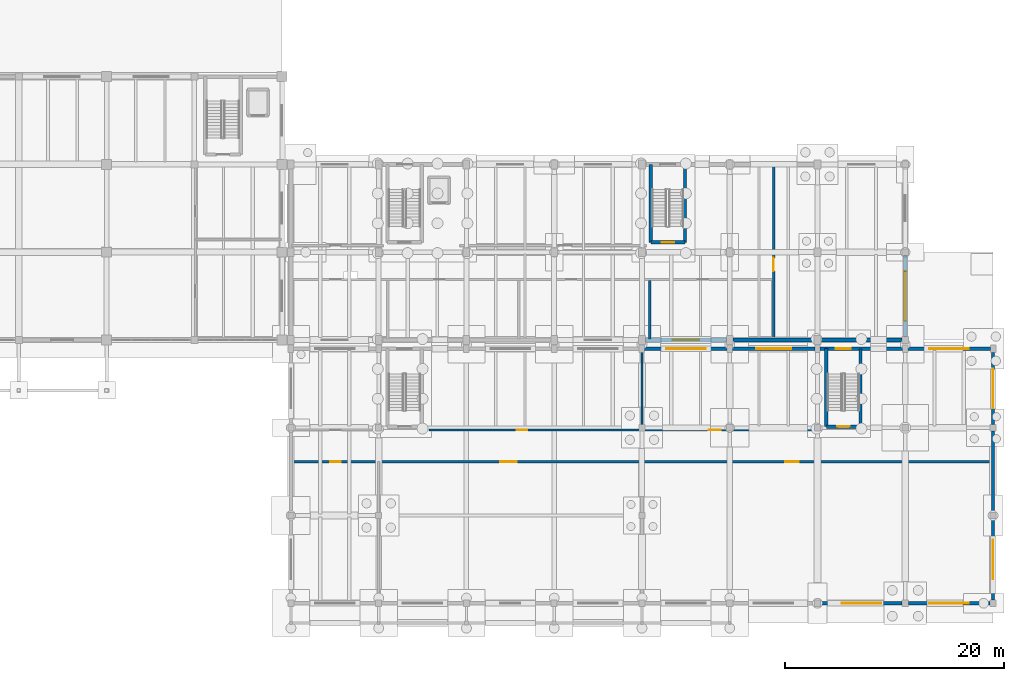
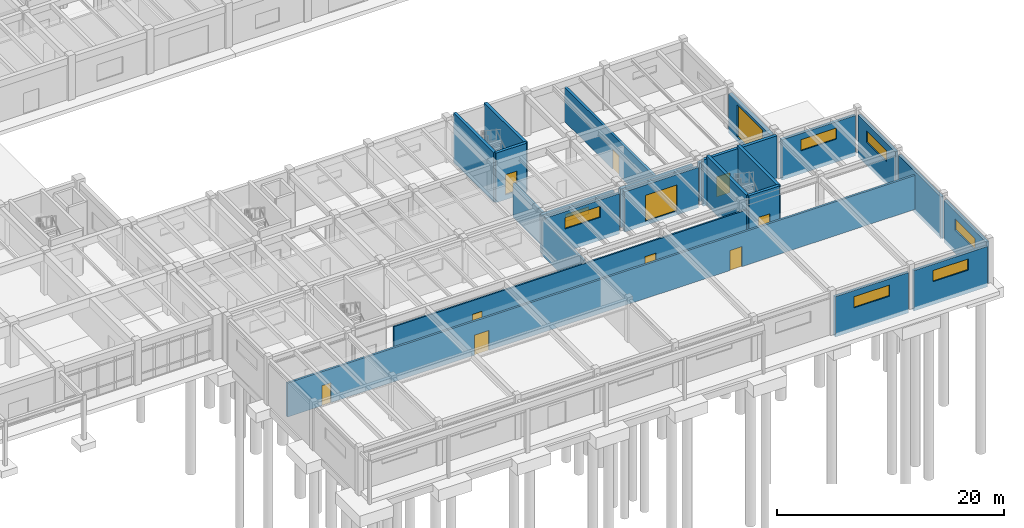
# One storey, part 43 of 64: 24 walls, 11 doors, 7 windows, 18 openings.
"""IFC4 building model written with IfcOpenShell, lengths in metres."""

from ifc_helpers import new_model, si_unit, direction, frame, frame_2d, origin, place, context, subcontext, project, spatial, rectangle, extrude, material, layer, layer_set, type_object, element, fill, save


model = new_model("IFC4")

# Units and contexts
model_context = context("Model", 3, precision=1e-05, world=origin(), true_north=direction((0.0, 1.0)))
body_context = subcontext(model_context, "Body", "Model", "MODEL_VIEW")
ifc_project = project(units=[si_unit("LENGTHUNIT", "METRE"), si_unit("AREAUNIT", "SQUARE_METRE"), si_unit("VOLUMEUNIT", "CUBIC_METRE"), si_unit("PLANEANGLEUNIT", "RADIAN"), si_unit("MASSUNIT", "GRAM", prefix="KILO")], contexts=[model_context])

# Site, building, storey
site_placement = place(None, origin())
site = spatial("IfcSite", under=ifc_project, at=site_placement, CompositionType="ELEMENT")
building_placement = place(site_placement, origin())
building = spatial("IfcBuilding", under=site, at=building_placement, Name="Tlaxcora Railside Police Headquarters", CompositionType="ELEMENT")
storey_placement = place(building_placement, origin())
storey = spatial("IfcBuildingStorey", under=building, at=storey_placement, Name="L00", CompositionType="ELEMENT", Elevation=0.0)

# Wall
ifc_material_1 = material(Name="Gypsum acoustic partition board")
ifc_layer_1 = layer(ifc_material_1, 0.175048828125, Name="Gypsum acoustic partition board")
ifc_layer_set_1 = layer_set([ifc_layer_1], Name="Gypsum acoustic partition board")
wall_type_1 = type_object("IfcWallType", Name="Interior Partition Wall IW-22", PredefinedType="PARTITIONING", material=ifc_layer_set_1)
wall_1_placement = place(storey_placement, frame((134.800048828125, 27.800048828125, 0.0), z_axis=(0.0, 0.0, 1.0), x_axis=(0.0, 1.0, 0.0)))
element("IfcWall", 1, at=wall_1_placement, inside=storey, type_object=wall_type_1, Name="V3 L00 interior partition 43", PredefinedType="PARTITIONING", context=body_context, shape_type="SweptSolid", body=[
    extrude(rectangle(XDim=7.320068359375, YDim=0.175048828125, at=frame_2d((3.66015625, 0.0))), origin(), (0.0, 0.0, 1.0), 3.89794921875),
])

# Wall, openings, doors
ifc_material_2 = material(Name="Pressed clay brick masonry", Category="masonry")
ifc_layer_2 = layer(ifc_material_2, 0.199951171875, Name="Pressed clay brick masonry")
ifc_layer_set_2 = layer_set([ifc_layer_2], Name="Pressed clay brick masonry")
wall_type_2 = type_object("IfcWallType", Name="Interior Partition Wall IW-60", PredefinedType="PARTITIONING", material=ifc_layer_set_2)
wall_2_placement = place(storey_placement, frame((102.8798828125, 24.89990234375, 0.0), z_axis=(0.0, 0.0, 1.0), x_axis=(1.0, 0.0, 0.0)))
wall_2 = element("IfcWall", 2, at=wall_2_placement, inside=storey, type_object=wall_type_2, Name="V3 L00 interior partition 40", PredefinedType="PARTITIONING", context=body_context, shape_type="SweptSolid", body=[
    extrude(rectangle(XDim=63.840087890625, YDim=0.199951171875, at=frame_2d((31.919921875, 0.0))), origin(), (0.0, 0.0, 1.0), 3.64599609375),
])
opening_1_placement = place(wall_2_placement, frame((3.5, 0.0, 0.0)))
opening_1 = element("IfcOpeningElement", 3, at=opening_1_placement, cuts=wall_2, Name="Opening D-L00-089", PredefinedType="OPENING", context=body_context, shape_type="SweptSolid", body=[
    extrude(rectangle(XDim=0.949951171875, YDim=2.14990234375, at=frame_2d((0.47509765625, 1.074951171875))), frame((0.0, 0.10986328125, 0.0), z_axis=(0.0, -1.0, 0.0), x_axis=(1.0, 0.0, 0.0)), (0.0, 0.0, 1.0), 0.219970703125),
])
opening_2_placement = place(wall_2_placement, frame((19.0, 0.0, 0.0)))
opening_2 = element("IfcOpeningElement", 4, at=opening_2_placement, cuts=wall_2, Name="Opening D-L00-090", PredefinedType="OPENING", context=body_context, shape_type="SweptSolid", body=[
    extrude(rectangle(XDim=1.5, YDim=2.14990234375, at=frame_2d((0.75, 1.074951171875))), frame((0.0, 0.10986328125, 0.0), z_axis=(0.0, -1.0, 0.0), x_axis=(1.0, 0.0, 0.0)), (0.0, 0.0, 1.0), 0.219970703125),
])
opening_3_placement = place(wall_2_placement, frame((45.0, 0.0, 0.0)))
opening_3 = element("IfcOpeningElement", 5, at=opening_3_placement, cuts=wall_2, Name="Opening D-L00-091", PredefinedType="OPENING", context=body_context, shape_type="SweptSolid", body=[
    extrude(rectangle(XDim=1.199951171875, YDim=2.14990234375, at=frame_2d((0.60009765625, 1.074951171875))), frame((0.0, 0.10986328125, 0.0), z_axis=(0.0, -1.0, 0.0), x_axis=(1.0, 0.0, 0.0)), (0.0, 0.0, 1.0), 0.219970703125),
])
ifc_material_3 = material(Name="Steel ASTM A992 Grade 50", Category="steel")
door_type_1 = type_object("IfcDoorType", Name="Swing or Sliding Personnel Door ID-14", OperationType="NOTDEFINED", PredefinedType="DOOR", material=ifc_material_3)
door_1_placement = place(opening_3_placement, origin())
door_1 = element("IfcDoor", 6, at=door_1_placement, inside=storey, type_object=door_type_1, Name="V3 L00 door D-L00-091", OperationType="DOUBLE_DOOR_SINGLE_SWING", OverallHeight=2.14990234375, OverallWidth=1.199951171875, PredefinedType="DOOR", context=body_context, shape_type="SweptSolid", body=[
    extrude(rectangle(XDim=1.199951171875, YDim=2.14990234375, at=frame_2d((0.60009765625, 1.074951171875))), frame((0.0, 0.02490234375, 0.0), z_axis=(0.0, -1.0, 0.0), x_axis=(1.0, 0.0, 0.0)), (0.0, 0.0, 1.0), 0.050048828125),
])
fill(opening_3, door_1)
door_type_2 = type_object("IfcDoorType", Name="Swing or Sliding Personnel Door ID-21", OperationType="NOTDEFINED", PredefinedType="DOOR", material=ifc_material_3)
door_2_placement = place(opening_2_placement, origin())
door_2 = element("IfcDoor", 7, at=door_2_placement, inside=storey, type_object=door_type_2, Name="V3 L00 door D-L00-090", OperationType="DOUBLE_DOOR_SINGLE_SWING", OverallHeight=2.14990234375, OverallWidth=1.5, PredefinedType="DOOR", context=body_context, shape_type="SweptSolid", body=[
    extrude(rectangle(XDim=1.5, YDim=2.14990234375, at=frame_2d((0.75, 1.074951171875))), frame((0.0, 0.02490234375, 0.0), z_axis=(0.0, -1.0, 0.0), x_axis=(1.0, 0.0, 0.0)), (0.0, 0.0, 1.0), 0.050048828125),
])
fill(opening_2, door_2)
door_type_3 = type_object("IfcDoorType", Name="Swing or Sliding Personnel Door ID-31", OperationType="NOTDEFINED", PredefinedType="DOOR", material=ifc_material_3)
door_3_placement = place(opening_1_placement, origin())
door_3 = element("IfcDoor", 8, at=door_3_placement, inside=storey, type_object=door_type_3, Name="V3 L00 door D-L00-089", OperationType="SINGLE_SWING_LEFT", OverallHeight=2.14990234375, OverallWidth=0.949951171875, PredefinedType="DOOR", context=body_context, shape_type="SweptSolid", body=[
    extrude(rectangle(XDim=0.949951171875, YDim=2.14990234375, at=frame_2d((0.47509765625, 1.074951171875))), frame((0.0, 0.02490234375, 0.0), z_axis=(0.0, -1.0, 0.0), x_axis=(1.0, 0.0, 0.0)), (0.0, 0.0, 1.0), 0.050048828125),
])
fill(opening_1, door_3)

# Wall
wall_3_placement = place(storey_placement, frame((135.510986328125, 36.080078125, 0.0), z_axis=(0.0, 0.0, 1.0), x_axis=(0.0, 1.0, 0.0)))
element("IfcWall", 9, at=wall_3_placement, inside=storey, type_object=wall_type_2, Name="V7 L00 interior partition 46", PredefinedType="PARTITIONING", context=body_context, shape_type="SweptSolid", body=[
    extrude(rectangle(XDim=5.31982421875, YDim=0.199951171875, at=frame_2d((2.659912109375, 0.0))), origin(), (0.0, 0.0, 1.0), 3.695068359375),
])

# Wall, openings, doors
ifc_layer_3 = layer(ifc_material_1, 0.159912109375, Name="Gypsum acoustic partition board")
ifc_layer_set_3 = layer_set([ifc_layer_3], Name="Gypsum acoustic partition board")
wall_type_3 = type_object("IfcWallType", Name="Interior Partition Wall IW-73", PredefinedType="PARTITIONING", material=ifc_layer_set_3)
wall_4_placement = place(storey_placement, frame((115.39990234375, 27.800048828125, 0.0), z_axis=(0.0, 0.0, 1.0), x_axis=(1.0, 0.0, 0.0)))
wall_4 = element("IfcWall", 10, at=wall_4_placement, inside=storey, type_object=wall_type_3, Name="V3 L00 interior partition 42", PredefinedType="PARTITIONING", context=body_context, shape_type="SweptSolid", body=[
    extrude(rectangle(XDim=35.800048828125, YDim=0.159912109375, at=frame_2d((17.89990234375, 0.0))), origin(), (0.0, 0.0, 1.0), 3.56494140625),
])
opening_4_placement = place(wall_4_placement, frame((8.0, 0.0, 0.0)))
opening_4 = element("IfcOpeningElement", 11, at=opening_4_placement, cuts=wall_4, Name="Opening D-L00-093", PredefinedType="OPENING", context=body_context, shape_type="SweptSolid", body=[
    extrude(rectangle(XDim=0.949951171875, YDim=2.10009765625, at=frame_2d((0.47509765625, 1.050048828125))), frame((0.0, 0.08984375, 0.0), z_axis=(0.0, -1.0, 0.0), x_axis=(1.0, 0.0, 0.0)), (0.0, 0.0, 1.0), 0.179931640625),
])
opening_5_placement = place(wall_4_placement, frame((25.5, 0.0, 0.0)))
opening_5 = element("IfcOpeningElement", 12, at=opening_5_placement, cuts=wall_4, Name="Opening D-L00-094", PredefinedType="OPENING", context=body_context, shape_type="SweptSolid", body=[
    extrude(rectangle(XDim=1.10009765625, YDim=2.14990234375, at=frame_2d((0.550048828125, 1.074951171875))), frame((0.0, 0.08984375, 0.0), z_axis=(0.0, -1.0, 0.0), x_axis=(1.0, 0.0, 0.0)), (0.0, 0.0, 1.0), 0.179931640625),
])
door_type_4 = type_object("IfcDoorType", Name="Swing or Sliding Personnel Door ID-25", OperationType="NOTDEFINED", PredefinedType="DOOR", material=ifc_material_3)
door_4_placement = place(opening_5_placement, origin())
door_4 = element("IfcDoor", 13, at=door_4_placement, inside=storey, type_object=door_type_4, Name="V3 L00 door D-L00-094", OperationType="SINGLE_SWING_RIGHT", OverallHeight=2.14990234375, OverallWidth=1.10009765625, PredefinedType="DOOR", context=body_context, shape_type="SweptSolid", body=[
    extrude(rectangle(XDim=1.10009765625, YDim=2.14990234375, at=frame_2d((0.550048828125, 1.074951171875))), frame((0.0, 0.02490234375, 0.0), z_axis=(0.0, -1.0, 0.0), x_axis=(1.0, 0.0, 0.0)), (0.0, 0.0, 1.0), 0.050048828125),
])
fill(opening_5, door_4)
door_type_5 = type_object("IfcDoorType", Name="Swing or Sliding Personnel Door ID-87", OperationType="NOTDEFINED", PredefinedType="DOOR", material=ifc_material_3)
door_5_placement = place(opening_4_placement, origin())
door_5 = element("IfcDoor", 14, at=door_5_placement, inside=storey, type_object=door_type_5, Name="V3 L00 door D-L00-093", OperationType="SINGLE_SWING_LEFT", OverallHeight=2.10009765625, OverallWidth=0.949951171875, PredefinedType="DOOR", context=body_context, shape_type="SweptSolid", body=[
    extrude(rectangle(XDim=0.949951171875, YDim=2.10009765625, at=frame_2d((0.47509765625, 1.050048828125))), frame((0.0, 0.02490234375, 0.0), z_axis=(0.0, -1.0, 0.0), x_axis=(1.0, 0.0, 0.0)), (0.0, 0.0, 1.0), 0.050048828125),
])
fill(opening_4, door_5)

# Wall, opening, door
ifc_layer_4 = layer(ifc_material_2, 0.239990234375, Name="Pressed clay brick masonry")
ifc_layer_set_4 = layer_set([ifc_layer_4], Name="Pressed clay brick masonry")
wall_type_4 = type_object("IfcWallType", Name="Interior Partition Wall IW-85", PredefinedType="PARTITIONING", material=ifc_layer_set_4)
wall_5_placement = place(storey_placement, frame((146.800048828125, 36.080078125, 0.0), z_axis=(0.0, 0.0, 1.0), x_axis=(0.0, 1.0, 0.0)))
wall_5 = element("IfcWall", 15, at=wall_5_placement, inside=storey, type_object=wall_type_4, Name="V7 L00 interior partition 47", PredefinedType="PARTITIONING", context=body_context, shape_type="SweptSolid", body=[
    extrude(rectangle(XDim=15.83984375, YDim=0.239990234375, at=frame_2d((7.919921875, 0.0))), origin(), (0.0, 0.0, 1.0), 3.695068359375),
])
opening_6_placement = place(wall_5_placement, frame((6.199951171875, 0.0, 0.0)))
opening_6 = element("IfcOpeningElement", 16, at=opening_6_placement, cuts=wall_5, Name="Opening D-L00-095", PredefinedType="OPENING", context=body_context, shape_type="SweptSolid", body=[
    extrude(rectangle(XDim=1.199951171875, YDim=2.14990234375, at=frame_2d((0.60009765625, 1.074951171875))), frame((0.0, 0.1298828125, 0.0), z_axis=(0.0, -1.0, 0.0), x_axis=(1.0, 0.0, 0.0)), (0.0, 0.0, 1.0), 0.260009765625),
])
door_6_placement = place(opening_6_placement, origin())
door_6 = element("IfcDoor", 17, at=door_6_placement, inside=storey, type_object=door_type_1, Name="V7 L00 door D-L00-095", OperationType="DOUBLE_DOOR_SINGLE_SWING", OverallHeight=2.14990234375, OverallWidth=1.199951171875, PredefinedType="DOOR", context=body_context, shape_type="SweptSolid", body=[
    extrude(rectangle(XDim=1.199951171875, YDim=2.14990234375, at=frame_2d((0.60009765625, 1.074951171875))), frame((0.0, 0.02490234375, 0.0), z_axis=(0.0, -1.0, 0.0), x_axis=(1.0, 0.0, 0.0)), (0.0, 0.0, 1.0), 0.050048828125),
])
fill(opening_6, door_6)

ifc_material_4 = material(Name="Concrete C40/50", Category="concrete")
ifc_layer_5 = layer(ifc_material_4, 0.300048828125, Name="Concrete C40/50")
ifc_layer_set_5 = layer_set([ifc_layer_5], Name="Concrete C40/50")
wall_type_5 = type_object("IfcWallType", Name="Shear Core Wall IW-28", PredefinedType="SHEAR", material=ifc_layer_set_5)
wall_6_placement = place(storey_placement, frame((135.60009765625, 44.89990234375, -0.52001953125), z_axis=(0.0, 0.0, 1.0), x_axis=(1.0, 0.0, 0.0)))
wall_6 = element("IfcWall", 18, at=wall_6_placement, inside=storey, type_object=wall_type_5, Name="CORE-C7B L00 stair core wall S", PredefinedType="SHEAR", context=body_context, shape_type="SweptSolid", body=[
    extrude(rectangle(XDim=3.119873046875, YDim=0.300048828125, at=frame_2d((1.56005859375, 0.0))), origin(), (0.0, 0.0, 1.0), 5.320068359375),
])
opening_7_placement = place(wall_6_placement, frame((0.985107421875, 0.0, 0.52001953125)))
opening_7 = element("IfcOpeningElement", 19, at=opening_7_placement, cuts=wall_6, Name="Opening SD-L00-051", PredefinedType="OPENING", context=body_context, shape_type="SweptSolid", body=[
    extrude(rectangle(XDim=1.14990234375, YDim=2.14990234375, at=frame_2d((0.574951171875, 1.074951171875))), frame((0.0, 0.16015625, 0.0), z_axis=(0.0, -1.0, 0.0), x_axis=(1.0, 0.0, 0.0)), (0.0, 0.0, 1.0), 0.320068359375),
])
door_type_6 = type_object("IfcDoorType", Name="Swing or Sliding Personnel Door ID-73", OperationType="NOTDEFINED", PredefinedType="DOOR", material=ifc_material_3)
door_7_placement = place(opening_7_placement, origin())
door_7 = element("IfcDoor", 20, at=door_7_placement, inside=storey, type_object=door_type_6, Name="Stair ST11 L00 enclosure fire door", OperationType="SINGLE_SWING_LEFT", OverallHeight=2.14990234375, OverallWidth=1.14990234375, PredefinedType="DOOR", context=body_context, shape_type="SweptSolid", body=[
    extrude(rectangle(XDim=1.14990234375, YDim=2.14990234375, at=frame_2d((0.574951171875, 1.074951171875))), frame((0.0, 0.02490234375, 0.0), z_axis=(0.0, -1.0, 0.0), x_axis=(1.0, 0.0, 0.0)), (0.0, 0.0, 1.0), 0.050048828125),
])
fill(opening_7, door_7)

# Walls
for number, where, z_axis, x_axis, name in (
    (21, (138.719970703125, 44.89990234375, -0.52001953125), (0.0, 0.0, 1.0), (0.0, 1.0, 0.0), "CORE-C7B L00 stair core wall E"),
    (22, (135.60009765625, 52.0, -0.52001953125), (0.0, 0.0, 1.0), (0.0, -1.0, 0.0), "CORE-C7B L00 stair core wall W"),
):
    element("IfcWall", number, at=place(storey_placement, frame(where, z_axis=z_axis, x_axis=x_axis)), inside=storey, type_object=wall_type_5, Name=name, PredefinedType="SHEAR", context=body_context, shape_type="SweptSolid", body=[
        extrude(rectangle(XDim=7.10009765625, YDim=0.300048828125, at=frame_2d((3.550048828125, 0.0))), origin(), (0.0, 0.0, 1.0), 5.320068359375),
    ])

# Wall, opening, door
wall_7_placement = place(storey_placement, frame((151.60009765625, 28.10009765625, -0.52001953125), z_axis=(0.0, 0.0, 1.0), x_axis=(1.0, 0.0, 0.0)))
wall_7 = element("IfcWall", 23, at=wall_7_placement, inside=storey, type_object=wall_type_5, Name="CORE-C8B L00 stair core wall S", PredefinedType="SHEAR", context=body_context, shape_type="SweptSolid", body=[
    extrude(rectangle(XDim=3.119873046875, YDim=0.300048828125, at=frame_2d((1.56005859375, 0.0))), origin(), (0.0, 0.0, 1.0), 5.320068359375),
])
opening_8_placement = place(wall_7_placement, frame((0.985107421875, 0.0, 0.52001953125)))
opening_8 = element("IfcOpeningElement", 24, at=opening_8_placement, cuts=wall_7, Name="Opening SD-L00-057", PredefinedType="OPENING", context=body_context, shape_type="SweptSolid", body=[
    extrude(rectangle(XDim=1.14990234375, YDim=2.14990234375, at=frame_2d((0.574951171875, 1.074951171875))), frame((0.0, 0.16015625, 0.0), z_axis=(0.0, -1.0, 0.0), x_axis=(1.0, 0.0, 0.0)), (0.0, 0.0, 1.0), 0.320068359375),
])
door_8_placement = place(opening_8_placement, origin())
door_8 = element("IfcDoor", 25, at=door_8_placement, inside=storey, type_object=door_type_6, Name="Stair ST12 L00 enclosure fire door", OperationType="SINGLE_SWING_LEFT", OverallHeight=2.14990234375, OverallWidth=1.14990234375, PredefinedType="DOOR", context=body_context, shape_type="SweptSolid", body=[
    extrude(rectangle(XDim=1.14990234375, YDim=2.14990234375, at=frame_2d((0.574951171875, 1.074951171875))), frame((0.0, 0.02490234375, 0.0), z_axis=(0.0, -1.0, 0.0), x_axis=(1.0, 0.0, 0.0)), (0.0, 0.0, 1.0), 0.050048828125),
])
fill(opening_8, door_8)

# Walls
for number, where, z_axis, x_axis, name in (
    (26, (154.719970703125, 28.10009765625, -0.52001953125), (0.0, 0.0, 1.0), (0.0, 1.0, 0.0), "CORE-C8B L00 stair core wall E"),
    (27, (151.60009765625, 35.199951171875, -0.52001953125), (0.0, 0.0, 1.0), (0.0, -1.0, 0.0), "CORE-C8B L00 stair core wall W"),
):
    element("IfcWall", number, at=place(storey_placement, frame(where, z_axis=z_axis, x_axis=x_axis)), inside=storey, type_object=wall_type_5, Name=name, PredefinedType="SHEAR", context=body_context, shape_type="SweptSolid", body=[
        extrude(rectangle(XDim=7.099853515625, YDim=0.300048828125, at=frame_2d((3.5498046875, 0.0))), origin(), (0.0, 0.0, 1.0), 5.320068359375),
    ])

# Wall, opening, window
ifc_material_5 = material(Name="Volcanic basalt ashlar masonry", Category="masonry")
ifc_layer_6 = layer(ifc_material_5, 0.360107421875, Name="Volcanic basalt ashlar masonry")
ifc_layer_set_6 = layer_set([ifc_layer_6], Name="Volcanic basalt ashlar masonry")
wall_type_6 = type_object("IfcWallType", Name="Structural Bearing Wall EW-52", PredefinedType="SOLIDWALL", material=ifc_layer_set_6)
wall_8_placement = place(storey_placement, frame((135.10009765625, 36.0, -0.419921875), z_axis=(0.0, 0.0, 1.0), x_axis=(1.0, 0.0, 0.0)))
wall_8 = element("IfcWall", 28, at=wall_8_placement, inside=storey, type_object=wall_type_6, Name="V7 L00 exterior wall 0.4", PredefinedType="SOLIDWALL", context=body_context, shape_type="SweptSolid", body=[
    extrude(rectangle(XDim=7.39990234375, YDim=0.360107421875, at=frame_2d((3.699951171875, 0.0))), origin(), (0.0, 0.0, 1.0), 4.1298828125),
])
opening_9_placement = place(wall_8_placement, frame((2.5, 0.0, 2.52001953125)))
opening_9 = element("IfcOpeningElement", 29, at=opening_9_placement, cuts=wall_8, Name="Opening WN-32", PredefinedType="OPENING", context=body_context, shape_type="SweptSolid", body=[
    extrude(rectangle(XDim=2.39990234375, YDim=0.75, at=frame_2d((1.199951171875, 0.375))), frame((0.0, 0.18994140625, 0.0), z_axis=(0.0, -1.0, 0.0), x_axis=(1.0, 0.0, 0.0)), (0.0, 0.0, 1.0), 0.380126953125),
])
ifc_material_6 = material(Name="Thermally broken low-E insulated glazing", Category="glass")
window_type_1 = type_object("IfcWindowType", Name="Exterior Framed or Circular Window WN-32", PartitioningType="SINGLE_PANEL", PredefinedType="WINDOW", material=ifc_material_6)
window_1_placement = place(opening_9_placement, origin())
window_1 = element("IfcWindow", 30, at=window_1_placement, inside=storey, type_object=window_type_1, Name="V7 L00 window 190", OverallHeight=0.75, OverallWidth=2.39990234375, PartitioningType="SINGLE_PANEL", PredefinedType="WINDOW", context=body_context, shape_type="SweptSolid", body=[
    extrude(rectangle(XDim=2.39990234375, YDim=0.75, at=frame_2d((1.199951171875, 0.375))), frame((0.0, 0.030029296875, 0.0), z_axis=(0.0, -1.0, 0.0), x_axis=(1.0, 0.0, 0.0)), (0.0, 0.0, 1.0), 0.06005859375),
])
fill(opening_9, window_1)

# Walls
for number, where, z_axis, x_axis, name in (
    (31, (143.10009765625, 36.0, -0.419921875), (0.0, 0.0, 1.0), (1.0, 0.0, 0.0), "V7 L00 exterior wall 0.5"),
    (32, (151.10009765625, 36.0, -0.419921875), (0.0, 0.0, 1.0), (1.0, 0.0, 0.0), "V7 L00 exterior wall 0.6"),
):
    element("IfcWall", number, at=place(storey_placement, frame(where, z_axis=z_axis, x_axis=x_axis)), inside=storey, type_object=wall_type_6, Name=name, PredefinedType="SOLIDWALL", context=body_context, shape_type="SweptSolid", body=[
        extrude(rectangle(XDim=7.39990234375, YDim=0.360107421875, at=frame_2d((3.699951171875, 0.0))), origin(), (0.0, 0.0, 1.0), 4.1298828125),
    ])

# Wall, opening, door
wall_9_placement = place(storey_placement, frame((158.800048828125, 36.300048828125, -0.419921875), z_axis=(0.0, 0.0, 1.0), x_axis=(0.0, 1.0, 0.0)))
wall_9 = element("IfcWall", 33, at=wall_9_placement, inside=storey, type_object=wall_type_6, Name="V7 L00 exterior wall 1.0", PredefinedType="SOLIDWALL", context=body_context, shape_type="SweptSolid", body=[
    extrude(rectangle(XDim=7.39990234375, YDim=0.360107421875, at=frame_2d((3.699951171875, 0.0))), origin(), (0.0, 0.0, 1.0), 4.22998046875),
])
opening_10_placement = place(wall_9_placement, frame((1.449951171875, 0.0, 0.419921875)))
opening_10 = element("IfcOpeningElement", 34, at=opening_10_placement, cuts=wall_9, Name="Opening SG-01", PredefinedType="OPENING", context=body_context, shape_type="SweptSolid", body=[
    extrude(rectangle(XDim=4.5, YDim=3.5, at=frame_2d((2.25, 1.75))), frame((0.0, 0.18994140625, 0.0), z_axis=(0.0, -1.0, 0.0), x_axis=(1.0, 0.0, 0.0)), (0.0, 0.0, 1.0), 0.380126953125),
])
door_type_7 = type_object("IfcDoorType", Name="Vehicle Security Shutter Gate ED-55", OperationType="NOTDEFINED", PredefinedType="GATE", material=ifc_material_3)
door_9_placement = place(opening_10_placement, frame((4.5, 0.0, 0.0), z_axis=(0.0, 0.0, 1.0), x_axis=(-1.0, 0.0, 0.0)))
door_9 = element("IfcDoor", 35, at=door_9_placement, inside=storey, type_object=door_type_7, Name="Custody vehicular sallyport gate SG-01", OperationType="ROLLINGUP", OverallHeight=3.5, OverallWidth=4.5, PredefinedType="GATE", context=body_context, shape_type="SweptSolid", body=[
    extrude(rectangle(XDim=4.5, YDim=3.5, at=frame_2d((2.25, 1.75))), frame((0.0, 0.02490234375, 0.0), z_axis=(0.0, -1.0, 0.0), x_axis=(1.0, 0.0, 0.0)), (0.0, 0.0, 1.0), 0.050048828125),
])
fill(opening_10, door_9)

# Wall, opening, window
ifc_layer_7 = layer(ifc_material_2, 0.294921875, Name="Pressed clay brick masonry")
ifc_layer_set_7 = layer_set([ifc_layer_7], Name="Pressed clay brick masonry")
wall_type_7 = type_object("IfcWallType", Name="Structural Bearing Wall EW-74", PredefinedType="SOLIDWALL", material=ifc_layer_set_7)
wall_10_placement = place(storey_placement, frame((151.074951171875, 12.0, -0.419921875), z_axis=(0.0, 0.0, 1.0), x_axis=(1.0, 0.0, 0.0)))
wall_10 = element("IfcWall", 36, at=wall_10_placement, inside=storey, type_object=wall_type_7, Name="V3 L00 exterior wall 0.6", PredefinedType="SOLIDWALL", context=body_context, shape_type="SweptSolid", body=[
    extrude(rectangle(XDim=7.449951171875, YDim=0.294921875, at=frame_2d((3.72509765625, 0.0))), origin(), (0.0, 0.0, 1.0), 4.3330078125),
])
opening_11_placement = place(wall_10_placement, frame((1.925048828125, 0.0, 2.469970703125)))
opening_11 = element("IfcOpeningElement", 37, at=opening_11_placement, cuts=wall_10, Name="Opening WN-77", PredefinedType="OPENING", context=body_context, shape_type="SweptSolid", body=[
    extrude(rectangle(XDim=3.60009765625, YDim=1.199951171875, at=frame_2d((1.800048828125, 0.60009765625))), frame((0.0, 0.157470703125, 0.0), z_axis=(0.0, -1.0, 0.0), x_axis=(1.0, 0.0, 0.0)), (0.0, 0.0, 1.0), 0.31494140625),
])
window_type_2 = type_object("IfcWindowType", Name="Exterior Framed or Circular Window WN-77", PartitioningType="SINGLE_PANEL", PredefinedType="WINDOW", material=ifc_material_6)
window_2_placement = place(opening_11_placement, origin())
window_2 = element("IfcWindow", 38, at=window_2_placement, inside=storey, type_object=window_type_2, Name="V3 L00 window 42", OverallHeight=1.199951171875, OverallWidth=3.60009765625, PartitioningType="SINGLE_PANEL", PredefinedType="WINDOW", context=body_context, shape_type="SweptSolid", body=[
    extrude(rectangle(XDim=3.60009765625, YDim=1.199951171875, at=frame_2d((1.800048828125, 0.60009765625))), frame((0.0, 0.030029296875, 0.0), z_axis=(0.0, -1.0, 0.0), x_axis=(1.0, 0.0, 0.0)), (0.0, 0.0, 1.0), 0.06005859375),
])
fill(opening_11, window_2)

wall_11_placement = place(storey_placement, frame((159.074951171875, 12.0, -0.419921875), z_axis=(0.0, 0.0, 1.0), x_axis=(1.0, 0.0, 0.0)))
wall_11 = element("IfcWall", 39, at=wall_11_placement, inside=storey, type_object=wall_type_7, Name="V3 L00 exterior wall 0.7", PredefinedType="SOLIDWALL", context=body_context, shape_type="SweptSolid", body=[
    extrude(rectangle(XDim=7.449951171875, YDim=0.294921875, at=frame_2d((3.72509765625, 0.0))), origin(), (0.0, 0.0, 1.0), 4.3330078125),
])
opening_12_placement = place(wall_11_placement, frame((1.925048828125, 0.0, 2.469970703125)))
opening_12 = element("IfcOpeningElement", 40, at=opening_12_placement, cuts=wall_11, Name="Opening WN-77", PredefinedType="OPENING", context=body_context, shape_type="SweptSolid", body=[
    extrude(rectangle(XDim=3.60009765625, YDim=1.199951171875, at=frame_2d((1.800048828125, 0.60009765625))), frame((0.0, 0.157470703125, 0.0), z_axis=(0.0, -1.0, 0.0), x_axis=(1.0, 0.0, 0.0)), (0.0, 0.0, 1.0), 0.31494140625),
])
window_3_placement = place(opening_12_placement, origin())
window_3 = element("IfcWindow", 41, at=window_3_placement, inside=storey, type_object=window_type_2, Name="V3 L00 window 43", OverallHeight=1.199951171875, OverallWidth=3.60009765625, PartitioningType="SINGLE_PANEL", PredefinedType="WINDOW", context=body_context, shape_type="SweptSolid", body=[
    extrude(rectangle(XDim=3.60009765625, YDim=1.199951171875, at=frame_2d((1.800048828125, 0.60009765625))), frame((0.0, 0.030029296875, 0.0), z_axis=(0.0, -1.0, 0.0), x_axis=(1.0, 0.0, 0.0)), (0.0, 0.0, 1.0), 0.06005859375),
])
fill(opening_12, window_3)

wall_12_placement = place(storey_placement, frame((166.800048828125, 12.27490234375, -0.419921875), z_axis=(0.0, 0.0, 1.0), x_axis=(0.0, 1.0, 0.0)))
wall_12 = element("IfcWall", 42, at=wall_12_placement, inside=storey, type_object=wall_type_7, Name="V3 L00 exterior wall 1.0", PredefinedType="SOLIDWALL", context=body_context, shape_type="SweptSolid", body=[
    extrude(rectangle(XDim=7.4501953125, YDim=0.294921875, at=frame_2d((3.72509765625, 0.0))), origin(), (0.0, 0.0, 1.0), 4.488037109375),
])
opening_13_placement = place(wall_12_placement, frame((1.925048828125, 0.0, 2.469970703125)))
opening_13 = element("IfcOpeningElement", 43, at=opening_13_placement, cuts=wall_12, Name="Opening WN-77", PredefinedType="OPENING", context=body_context, shape_type="SweptSolid", body=[
    extrude(rectangle(XDim=3.60009765625, YDim=1.199951171875, at=frame_2d((1.800048828125, 0.60009765625))), frame((0.0, 0.157470703125, 0.0), z_axis=(0.0, -1.0, 0.0), x_axis=(1.0, 0.0, 0.0)), (0.0, 0.0, 1.0), 0.31494140625),
])
window_4_placement = place(opening_13_placement, origin())
window_4 = element("IfcWindow", 44, at=window_4_placement, inside=storey, type_object=window_type_2, Name="V3 L00 window 44", OverallHeight=1.199951171875, OverallWidth=3.60009765625, PartitioningType="SINGLE_PANEL", PredefinedType="WINDOW", context=body_context, shape_type="SweptSolid", body=[
    extrude(rectangle(XDim=3.60009765625, YDim=1.199951171875, at=frame_2d((1.800048828125, 0.60009765625))), frame((0.0, 0.030029296875, 0.0), z_axis=(0.0, -1.0, 0.0), x_axis=(1.0, 0.0, 0.0)), (0.0, 0.0, 1.0), 0.06005859375),
])
fill(opening_13, window_4)

# Wall
wall_13_placement = place(storey_placement, frame((166.800048828125, 20.27490234375, -0.419921875), z_axis=(0.0, 0.0, 1.0), x_axis=(0.0, 1.0, 0.0)))
element("IfcWall", 45, at=wall_13_placement, inside=storey, type_object=wall_type_7, Name="V3 L00 exterior wall 1.1", PredefinedType="SOLIDWALL", context=body_context, shape_type="SweptSolid", body=[
    extrude(rectangle(XDim=7.4501953125, YDim=0.294921875, at=frame_2d((3.72509765625, 0.0))), origin(), (0.0, 0.0, 1.0), 4.488037109375),
])

# Wall, opening, window
wall_14_placement = place(storey_placement, frame((166.800048828125, 28.27490234375, -0.419921875), z_axis=(0.0, 0.0, 1.0), x_axis=(0.0, 1.0, 0.0)))
wall_14 = element("IfcWall", 46, at=wall_14_placement, inside=storey, type_object=wall_type_7, Name="V3 L00 exterior wall 1.2", PredefinedType="SOLIDWALL", context=body_context, shape_type="SweptSolid", body=[
    extrude(rectangle(XDim=6.60009765625, YDim=0.294921875, at=frame_2d((3.300048828125, 0.0))), origin(), (0.0, 0.0, 1.0), 4.488037109375),
])
opening_14_placement = place(wall_14_placement, frame((1.5, 0.0, 2.469970703125)))
opening_14 = element("IfcOpeningElement", 47, at=opening_14_placement, cuts=wall_14, Name="Opening WN-77", PredefinedType="OPENING", context=body_context, shape_type="SweptSolid", body=[
    extrude(rectangle(XDim=3.60009765625, YDim=1.199951171875, at=frame_2d((1.800048828125, 0.60009765625))), frame((0.0, 0.157470703125, 0.0), z_axis=(0.0, -1.0, 0.0), x_axis=(1.0, 0.0, 0.0)), (0.0, 0.0, 1.0), 0.31494140625),
])
window_5_placement = place(opening_14_placement, origin())
window_5 = element("IfcWindow", 48, at=window_5_placement, inside=storey, type_object=window_type_2, Name="V3 L00 window 45", OverallHeight=1.199951171875, OverallWidth=3.60009765625, PartitioningType="SINGLE_PANEL", PredefinedType="WINDOW", context=body_context, shape_type="SweptSolid", body=[
    extrude(rectangle(XDim=3.60009765625, YDim=1.199951171875, at=frame_2d((1.800048828125, 0.60009765625))), frame((0.0, 0.030029296875, 0.0), z_axis=(0.0, -1.0, 0.0), x_axis=(1.0, 0.0, 0.0)), (0.0, 0.0, 1.0), 0.06005859375),
])
fill(opening_14, window_5)

wall_15_placement = place(storey_placement, frame((166.550048828125, 35.199951171875, -0.419921875), z_axis=(0.0, 0.0, 1.0), x_axis=(-1.0, 0.0, 0.0)))
wall_15 = element("IfcWall", 49, at=wall_15_placement, inside=storey, type_object=wall_type_7, Name="V3 L00 exterior wall 2.0", PredefinedType="SOLIDWALL", context=body_context, shape_type="SweptSolid", body=[
    extrude(rectangle(XDim=7.5, YDim=0.294921875, at=frame_2d((3.75, 0.0))), origin(), (0.0, 0.0, 1.0), 4.3330078125),
])
opening_15_placement = place(wall_15_placement, frame((1.949951171875, 0.0, 2.469970703125)))
opening_15 = element("IfcOpeningElement", 50, at=opening_15_placement, cuts=wall_15, Name="Opening WN-77", PredefinedType="OPENING", context=body_context, shape_type="SweptSolid", body=[
    extrude(rectangle(XDim=3.60009765625, YDim=1.199951171875, at=frame_2d((1.800048828125, 0.60009765625))), frame((0.0, 0.157470703125, 0.0), z_axis=(0.0, -1.0, 0.0), x_axis=(1.0, 0.0, 0.0)), (0.0, 0.0, 1.0), 0.31494140625),
])
window_6_placement = place(opening_15_placement, origin())
window_6 = element("IfcWindow", 51, at=window_6_placement, inside=storey, type_object=window_type_2, Name="V3 L00 window 46", OverallHeight=1.199951171875, OverallWidth=3.60009765625, PartitioningType="SINGLE_PANEL", PredefinedType="WINDOW", context=body_context, shape_type="SweptSolid", body=[
    extrude(rectangle(XDim=3.60009765625, YDim=1.199951171875, at=frame_2d((1.800048828125, 0.60009765625))), frame((0.0, 0.030029296875, 0.0), z_axis=(0.0, -1.0, 0.0), x_axis=(1.0, 0.0, 0.0)), (0.0, 0.0, 1.0), 0.06005859375),
])
fill(opening_15, window_6)

# Wall, opening, door
wall_16_placement = place(storey_placement, frame((158.550048828125, 35.199951171875, -0.419921875), z_axis=(0.0, 0.0, 1.0), x_axis=(-1.0, 0.0, 0.0)))
wall_16 = element("IfcWall", 52, at=wall_16_placement, inside=storey, type_object=wall_type_7, Name="V3 L00 exterior wall 2.1", PredefinedType="SOLIDWALL", context=body_context, shape_type="SweptSolid", body=[
    extrude(rectangle(XDim=7.5, YDim=0.294921875, at=frame_2d((3.75, 0.0))), origin(), (0.0, 0.0, 1.0), 4.949951171875),
])
opening_16_placement = place(wall_16_placement, frame((4.715087890625, 0.0, 0.419921875)))
opening_16 = element("IfcOpeningElement", 53, at=opening_16_placement, cuts=wall_16, Name="Opening EX-12", PredefinedType="OPENING", context=body_context, shape_type="SweptSolid", body=[
    extrude(rectangle(XDim=1.35009765625, YDim=2.14990234375, at=frame_2d((0.675048828125, 1.074951171875))), frame((0.0, 0.157470703125, 0.0), z_axis=(0.0, -1.0, 0.0), x_axis=(1.0, 0.0, 0.0)), (0.0, 0.0, 1.0), 0.31494140625),
])
ifc_material_7 = material(Name="Anodised aluminium framing", Category="aluminium")
door_type_8 = type_object("IfcDoorType", Name="Swing or Sliding Personnel Door ED-94", OperationType="NOTDEFINED", PredefinedType="DOOR", material=ifc_material_7)
door_10_placement = place(opening_16_placement, frame((1.35009765625, 0.0, 0.0), z_axis=(0.0, 0.0, 1.0), x_axis=(-1.0, 0.0, 0.0)))
door_10 = element("IfcDoor", 54, at=door_10_placement, inside=storey, type_object=door_type_8, Name="Exit stair ST12 direct exterior discharge door", OperationType="SINGLE_SWING_RIGHT", OverallHeight=2.14990234375, OverallWidth=1.35009765625, PredefinedType="DOOR", context=body_context, shape_type="SweptSolid", body=[
    extrude(rectangle(XDim=1.35009765625, YDim=2.14990234375, at=frame_2d((0.675048828125, 1.074951171875))), frame((0.0, 0.02490234375, 0.0), z_axis=(0.0, -1.0, 0.0), x_axis=(1.0, 0.0, 0.0)), (0.0, 0.0, 1.0), 0.050048828125),
])
fill(opening_16, door_10)

wall_17_placement = place(storey_placement, frame((150.550048828125, 35.199951171875, -0.419921875), z_axis=(0.0, 0.0, 1.0), x_axis=(-1.0, 0.0, 0.0)))
wall_17 = element("IfcWall", 55, at=wall_17_placement, inside=storey, type_object=wall_type_7, Name="V3 L00 exterior wall 2.2", PredefinedType="SOLIDWALL", context=body_context, shape_type="SweptSolid", body=[
    extrude(rectangle(XDim=7.5, YDim=0.294921875, at=frame_2d((3.75, 0.0))), origin(), (0.0, 0.0, 1.0), 4.3330078125),
])
opening_17_placement = place(wall_17_placement, frame((2.14990234375, 0.0, 0.419921875)))
opening_17 = element("IfcOpeningElement", 56, at=opening_17_placement, cuts=wall_17, Name="Opening RG-01", PredefinedType="OPENING", context=body_context, shape_type="SweptSolid", body=[
    extrude(rectangle(XDim=3.199951171875, YDim=2.800048828125, at=frame_2d((1.60009765625, 1.39990234375))), frame((0.0, 0.157470703125, 0.0), z_axis=(0.0, -1.0, 0.0), x_axis=(1.0, 0.0, 0.0)), (0.0, 0.0, 1.0), 0.31494140625),
])
door_type_9 = type_object("IfcDoorType", Name="Vehicle Security Shutter Gate ED-33", OperationType="NOTDEFINED", PredefinedType="GATE", material=ifc_material_3)
door_11_placement = place(opening_17_placement, frame((3.199951171875, 0.0, 0.0), z_axis=(0.0, 0.0, 1.0), x_axis=(-1.0, 0.0, 0.0)))
door_11 = element("IfcDoor", 57, at=door_11_placement, inside=storey, type_object=door_type_9, Name="Service vehicle shutter gate RG-01", OperationType="ROLLINGUP", OverallHeight=2.800048828125, OverallWidth=3.199951171875, PredefinedType="GATE", context=body_context, shape_type="SweptSolid", body=[
    extrude(rectangle(XDim=3.199951171875, YDim=2.800048828125, at=frame_2d((1.60009765625, 1.39990234375))), frame((0.0, 0.02490234375, 0.0), z_axis=(0.0, -1.0, 0.0), x_axis=(1.0, 0.0, 0.0)), (0.0, 0.0, 1.0), 0.050048828125),
])
fill(opening_17, door_11)

# Wall, opening, window
wall_18_placement = place(storey_placement, frame((142.550048828125, 35.199951171875, -0.419921875), z_axis=(0.0, 0.0, 1.0), x_axis=(-1.0, 0.0, 0.0)))
wall_18 = element("IfcWall", 58, at=wall_18_placement, inside=storey, type_object=wall_type_7, Name="V3 L00 exterior wall 2.3", PredefinedType="SOLIDWALL", context=body_context, shape_type="SweptSolid", body=[
    extrude(rectangle(XDim=7.5, YDim=0.294921875, at=frame_2d((3.75, 0.0))), origin(), (0.0, 0.0, 1.0), 4.3330078125),
])
opening_18_placement = place(wall_18_placement, frame((1.949951171875, 0.0, 2.469970703125)))
opening_18 = element("IfcOpeningElement", 59, at=opening_18_placement, cuts=wall_18, Name="Opening WN-77", PredefinedType="OPENING", context=body_context, shape_type="SweptSolid", body=[
    extrude(rectangle(XDim=3.60009765625, YDim=1.199951171875, at=frame_2d((1.800048828125, 0.60009765625))), frame((0.0, 0.157470703125, 0.0), z_axis=(0.0, -1.0, 0.0), x_axis=(1.0, 0.0, 0.0)), (0.0, 0.0, 1.0), 0.31494140625),
])
window_7_placement = place(opening_18_placement, origin())
window_7 = element("IfcWindow", 60, at=window_7_placement, inside=storey, type_object=window_type_2, Name="V3 L00 window 47", OverallHeight=1.199951171875, OverallWidth=3.60009765625, PartitioningType="SINGLE_PANEL", PredefinedType="WINDOW", context=body_context, shape_type="SweptSolid", body=[
    extrude(rectangle(XDim=3.60009765625, YDim=1.199951171875, at=frame_2d((1.800048828125, 0.60009765625))), frame((0.0, 0.030029296875, 0.0), z_axis=(0.0, -1.0, 0.0), x_axis=(1.0, 0.0, 0.0)), (0.0, 0.0, 1.0), 0.06005859375),
])
fill(opening_18, window_7)

save(model, "model.ifc")
